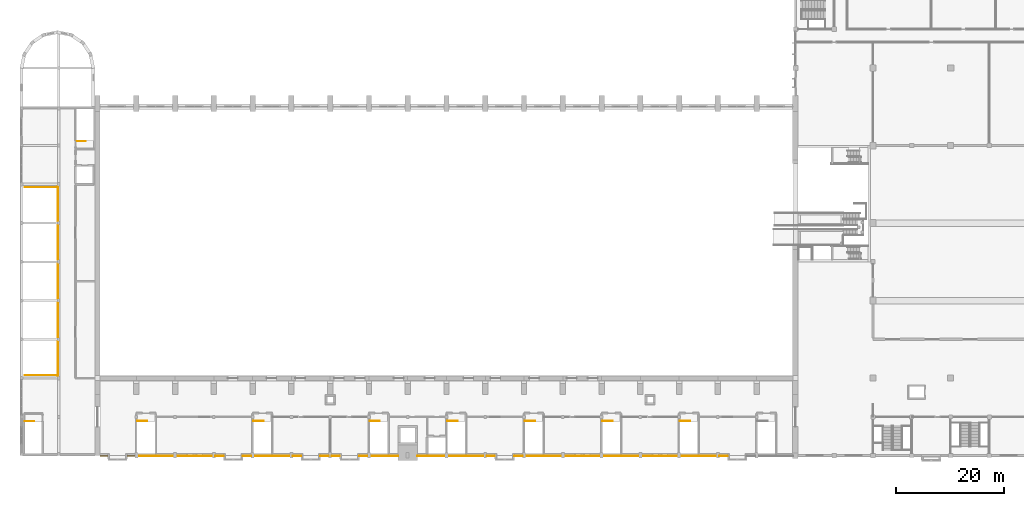
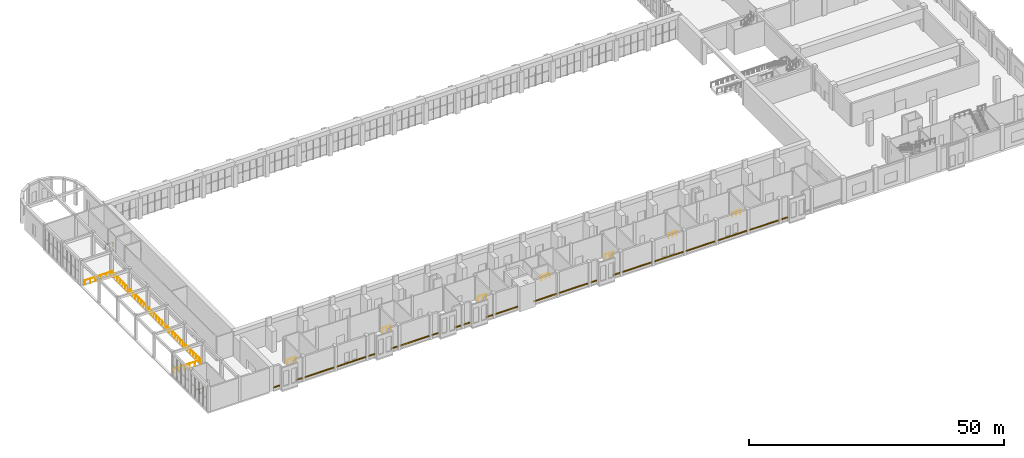
# One storey, part 40 of 44: 22 coverings, 16 railings.
"""IFC4 building model written with IfcOpenShell, lengths in metres."""

import ifcopenshell
import ifcopenshell.guid

model = None  # the IFC model being written
_history = None  # IfcOwnerHistory: only IFC2X3 demands one
_inside = {}  # id of a spatial element -> (the spatial element, [elements in it])
_under = {}  # id of a project, library or spatial element -> (it, [spatial elements below it])
_declared = {}  # id of a project -> (the project, [libraries it declares])
_typed = {}  # id of a type object -> (the type object, [elements of that type])
_made_of = {}  # id of a material, layer set ... -> (it, [elements and type objects made of it])


def new_model(schema):
    """Start an empty IFC model of exactly this schema.

    Asked for "IFC4X3", IfcOpenShell would pick the latest addendum, in which some entities
    have other attributes; the version numbers below select the first issue.
    IFC2X3 requires an IfcOwnerHistory on every rooted entity: one is made here for all.
    """
    global model, _history
    if schema == "IFC4X3":
        model = ifcopenshell.file(schema_version=(4, 3, 0, 0))
    else:
        model = ifcopenshell.file(schema=schema)
    _inside.clear()
    _under.clear()
    _declared.clear()
    _typed.clear()
    _made_of.clear()
    _history = None
    if model.schema == "IFC2X3":
        org = make("IfcOrganization", Name="unknown")
        user = make(
            "IfcPersonAndOrganization",
            ThePerson=make("IfcPerson", FamilyName="unknown"),
            TheOrganization=org,
        )
        app = make(
            "IfcApplication",
            ApplicationDeveloper=org,
            Version="unknown",
            ApplicationFullName="unknown",
            ApplicationIdentifier="unknown",
        )
        _history = make(
            "IfcOwnerHistory",
            OwningUser=user,
            OwningApplication=app,
            ChangeAction="ADDED",
            CreationDate=0,
        )
    return model


def make(cls, **values):
    """One entity of the class cls with the attributes given. An attribute that is None is left unset."""
    return model.create_entity(
        cls, **{name: value for name, value in values.items() if value is not None}
    )


def rooted(cls, **values):
    """An entity with a GlobalId (a new one), such as an element, a storey or a relation."""
    return make(cls, GlobalId=ifcopenshell.guid.new(), OwnerHistory=_history, **values)


def si_unit(unit_type, name, prefix=None):
    """IfcSIUnit, for example si_unit("LENGTHUNIT", "METRE", prefix="MILLI")."""
    return make("IfcSIUnit", UnitType=unit_type, Prefix=prefix, Name=name)


def assignment(units):
    """IfcUnitAssignment: the units of a project."""
    return None if units is None else make("IfcUnitAssignment", Units=units)


def point(xyz):
    """IfcCartesianPoint."""
    return None if xyz is None else make("IfcCartesianPoint", Coordinates=xyz)


def direction(xyz):
    """IfcDirection."""
    return None if xyz is None else make("IfcDirection", DirectionRatios=xyz)


def frame(location, z_axis=None, x_axis=None):
    """IfcAxis2Placement3D, a coordinate frame: its origin and axes. An axis left out is left unset."""
    return make(
        "IfcAxis2Placement3D",
        Location=point(location),
        Axis=direction(z_axis),
        RefDirection=direction(x_axis),
    )


def frame_2d(location, x_axis=None):
    """IfcAxis2Placement2D, a coordinate frame in the plane: its origin and x axis."""
    return make(
        "IfcAxis2Placement2D", Location=point(location), RefDirection=direction(x_axis)
    )


def origin():
    """The frame at (0, 0, 0) with its axes left unset."""
    return frame((0.0, 0.0, 0.0))


def origin_2d():
    """The frame at (0, 0) in the plane with its x axis left unset."""
    return frame_2d((0.0, 0.0))


def place(relative_to, where):
    """IfcLocalPlacement: puts the frame where relative to a parent placement (None: the world)."""
    return make(
        "IfcLocalPlacement", PlacementRelTo=relative_to, RelativePlacement=where
    )


def context(
    kind, dimensions, precision=None, world=None, true_north=None, identifier=None
):
    """IfcGeometricRepresentationContext, for example the 3D "Model" context."""
    return make(
        "IfcGeometricRepresentationContext",
        ContextIdentifier=identifier,
        ContextType=kind,
        CoordinateSpaceDimension=dimensions,
        Precision=precision,
        WorldCoordinateSystem=world,
        TrueNorth=true_north,
    )


def subcontext(parent, identifier, kind, view, scale=None):
    """IfcGeometricRepresentationSubContext, for example "Body" below "Model"."""
    return make(
        "IfcGeometricRepresentationSubContext",
        ContextIdentifier=identifier,
        ContextType=kind,
        ParentContext=parent,
        TargetScale=scale,
        TargetView=view,
    )


def project(units=None, contexts=None):
    """IfcProject with its units and contexts."""
    return rooted(
        "IfcProject",
        Name="project",
        RepresentationContexts=contexts,
        UnitsInContext=assignment(units),
    )


def spatial(cls, under=None, at=None, **own):
    """A site, building, storey or space (cls), placed at a placement, below another one or the project."""
    s = rooted(cls, ObjectPlacement=at, **own)
    if under is not None:
        _under.setdefault(under.id(), (under, []))[1].append(s)
    return s


def profile(cls, at=None, kind="AREA", **sizes):
    """A parametric profile (cls). Its sizes go by their IFC names, for example OverallWidth=200.0."""
    return make(cls, ProfileType=kind, Position=at, **sizes)


def rectangle(**sizes):
    """IfcRectangleProfileDef."""
    return profile("IfcRectangleProfileDef", **sizes)


def circle(**sizes):
    """IfcCircleProfileDef."""
    return profile("IfcCircleProfileDef", **sizes)


def extrude(swept, where, along, depth):
    """IfcExtrudedAreaSolid: the profile swept, set in the frame where, extruded along a direction by depth."""
    return make(
        "IfcExtrudedAreaSolid",
        SweptArea=swept,
        Position=where,
        ExtrudedDirection=direction(along),
        Depth=depth,
    )


def shape(context_of_items, identifier, shape_type, items):
    """IfcShapeRepresentation: the items that make up one representation, for example the "Body"."""
    return make(
        "IfcShapeRepresentation",
        ContextOfItems=context_of_items,
        RepresentationIdentifier=identifier,
        RepresentationType=shape_type,
        Items=items,
    )


def material(Name=None, Category=None):
    """IfcMaterial."""
    return make("IfcMaterial", Name=Name, Category=Category)


def layer(
    of_material, thickness, ventilated=None, Name=None, Category=None, Priority=None
):
    """IfcMaterialLayer: one layer of a wall or slab, of a material (None: an air gap)."""
    return make(
        "IfcMaterialLayer",
        Material=of_material,
        LayerThickness=thickness,
        IsVentilated=ventilated,
        Name=Name,
        Category=Category,
        Priority=Priority,
    )


def layer_set(layers, Name=None):
    """IfcMaterialLayerSet."""
    return make("IfcMaterialLayerSet", MaterialLayers=layers, LayerSetName=Name)


def made_of(thing, what):
    """Note that an element or type object is made of a material, layer set ...; save() writes the relation."""
    if what is not None:
        _made_of.setdefault(what.id(), (what, []))[1].append(thing)
    return thing


def type_object(cls, material=None, **own):
    """A type object (cls), such as IfcWallType, which elements share."""
    return made_of(rooted(cls, **own), material)


def element(
    cls,
    number,
    at=None,
    inside=None,
    cuts=None,
    type_object=None,
    material=None,
    context=None,
    identifier="Body",
    shape_type=None,
    held_by="IfcProductDefinitionShape",
    body=None,
    shapes=None,
    **own,
):
    """One element of the class cls, such as IfcWall. Its Tag is "e" and its number.

    at: its placement. inside: the storey or other place that contains it. cuts: it is an
    opening in that element (IfcRelVoidsElement). A single representation is given by context,
    identifier, shape_type and body (its items); several are given by shapes. held_by: the class
    of the entity that holds the representations. save() writes the other relations.
    """
    e = rooted(cls, Tag="e%d" % number, ObjectPlacement=at, **own)
    if body is not None:
        shapes = [shape(context, identifier, shape_type, body)]
    if shapes is not None:
        e.Representation = make(held_by, Representations=shapes)
    if inside is not None:
        _inside.setdefault(inside.id(), (inside, []))[1].append(e)
    if cuts is not None:
        rooted(
            "IfcRelVoidsElement", RelatingBuildingElement=cuts, RelatedOpeningElement=e
        )
    if type_object is not None:
        _typed.setdefault(type_object.id(), (type_object, []))[1].append(e)
    return made_of(e, material)


def aggregate(whole, parts):
    """IfcRelAggregates: a whole, such as a stair, and the parts it consists of."""
    return rooted("IfcRelAggregates", RelatingObject=whole, RelatedObjects=parts)


def save(model, path):
    """Write the relations noted so far, then the file.

    IfcRelAggregates (storeys below a building ...), IfcRelContainedInSpatialStructure (elements
    in a storey), IfcRelDefinesByType, IfcRelAssociatesMaterial and IfcRelDeclares: one each for
    every whole, place, type object, material and project.
    """
    for whole, parts in _under.values():
        aggregate(whole, parts)
    for where, things in _inside.values():
        rooted(
            "IfcRelContainedInSpatialStructure",
            RelatedElements=things,
            RelatingStructure=where,
        )
    for kind, things in _typed.values():
        rooted("IfcRelDefinesByType", RelatedObjects=things, RelatingType=kind)
    for what, things in _made_of.values():
        rooted("IfcRelAssociatesMaterial", RelatedObjects=things, RelatingMaterial=what)
    for by, libraries in _declared.values():
        rooted("IfcRelDeclares", RelatingContext=by, RelatedDefinitions=libraries)
    model.write(path)


model = new_model("IFC4")

# Units and contexts
model_context = context("Model", 3, precision=1e-05, world=origin(), true_north=direction((0.0, 1.0)))
body_context = subcontext(model_context, "Body", "Model", "MODEL_VIEW")
ifc_project = project(units=[si_unit("LENGTHUNIT", "METRE"), si_unit("AREAUNIT", "SQUARE_METRE"), si_unit("VOLUMEUNIT", "CUBIC_METRE"), si_unit("PLANEANGLEUNIT", "RADIAN"), si_unit("MASSUNIT", "GRAM", prefix="KILO")], contexts=[model_context])

# Site, building, storey
site_placement = place(None, origin())
site = spatial("IfcSite", under=ifc_project, at=site_placement, CompositionType="ELEMENT")
building_placement = place(site_placement, origin())
building = spatial("IfcBuilding", under=site, at=building_placement, Name="Vermilion Court Aquatics Centre", CompositionType="ELEMENT")
storey_placement = place(building_placement, frame((0.0, 0.0, 6.0)))
storey = spatial("IfcBuildingStorey", under=building, at=storey_placement, Name="L01", CompositionType="ELEMENT", Elevation=6.0)

# Railings
ifc_material_1 = material(Name="Steel ASTM A992 Grade 50", Category="steel")
railing_type_1 = type_object("IfcRailingType", Name="Foyer guard 1100", PredefinedType="GUARDRAIL", material=ifc_material_1)
railing_1_placement = place(storey_placement, frame((0.925048828125, 6.39990234375, 0.0)))
element("IfcRailing", 1, at=railing_1_placement, inside=storey, type_object=railing_type_1, Name="Stair opening guard F1", PredefinedType="GUARDRAIL", context=body_context, shape_type="SweptSolid", body=[
    extrude(circle(Radius=0.02392578125, at=origin_2d()), frame((0.0, 0.0, 1.076171875), z_axis=(1.0, 0.0, 0.0), x_axis=(0.0, 1.0, 0.0)), (0.0, 0.0, 1.0), 1.699951171875),
    extrude(circle(Radius=0.02099609375, at=origin_2d()), origin(), (0.0, 0.0, 1.0), 1.052001953125),
    extrude(circle(Radius=0.02099609375, at=origin_2d()), frame((0.85009765625, 0.0, 0.0)), (0.0, 0.0, 1.0), 1.052001953125),
    extrude(circle(Radius=0.02099609375, at=origin_2d()), frame((1.699951171875, 0.0, 0.0)), (0.0, 0.0, 1.0), 1.052001953125),
])
railing_2_placement = place(storey_placement, frame((10.47509765625, 58.39990234375, 0.0)))
element("IfcRailing", 2, at=railing_2_placement, inside=storey, type_object=railing_type_1, Name="Stair opening guard F2", PredefinedType="GUARDRAIL", context=body_context, shape_type="SweptSolid", body=[
    extrude(circle(Radius=0.02392578125, at=origin_2d()), frame((0.0, 0.0, 1.076171875), z_axis=(1.0, 0.0, 0.0), x_axis=(0.0, 1.0, 0.0)), (0.0, 0.0, 1.0), 1.724853515625),
    extrude(circle(Radius=0.02099609375, at=origin_2d()), origin(), (0.0, 0.0, 1.0), 1.052001953125),
    extrude(circle(Radius=0.02099609375, at=origin_2d()), frame((0.8623046875, 0.0, 0.0)), (0.0, 0.0, 1.0), 1.052001953125),
    extrude(circle(Radius=0.02099609375, at=origin_2d()), frame((1.724853515625, 0.0, 0.0)), (0.0, 0.0, 1.0), 1.052001953125),
])
for number, where, name in (
    (3, (0.89990234375, 14.949951171875, 0.0), "Foyer void guard S"),
    (4, (0.89990234375, 49.85009765625, 0.0), "Foyer void guard N"),
):
    element("IfcRailing", number, at=place(storey_placement, frame(where)), inside=storey, type_object=railing_type_1, Name=name, PredefinedType="GUARDRAIL", context=body_context, shape_type="SweptSolid", body=[
        extrude(circle(Radius=0.02392578125, at=origin_2d()), frame((0.0, 0.0, 1.076171875), z_axis=(1.0, 0.0, 0.0), x_axis=(0.0, 1.0, 0.0)), (0.0, 0.0, 1.0), 6.0),
        extrude(circle(Radius=0.02099609375, at=origin_2d()), origin(), (0.0, 0.0, 1.0), 1.052001953125),
        extrude(circle(Radius=0.02099609375, at=origin_2d()), frame((1.199951171875, 0.0, 0.0)), (0.0, 0.0, 1.0), 1.052001953125),
        extrude(circle(Radius=0.02099609375, at=origin_2d()), frame((2.39990234375, 0.0, 0.0)), (0.0, 0.0, 1.0), 1.052001953125),
        extrude(circle(Radius=0.02099609375, at=origin_2d()), frame((3.60009765625, 0.0, 0.0)), (0.0, 0.0, 1.0), 1.052001953125),
        extrude(circle(Radius=0.02099609375, at=origin_2d()), frame((4.800048828125, 0.0, 0.0)), (0.0, 0.0, 1.0), 1.052001953125),
        extrude(circle(Radius=0.02099609375, at=origin_2d()), frame((6.0, 0.0, 0.0)), (0.0, 0.0, 1.0), 1.052001953125),
    ])
for number, where, name in (
    (5, (7.050048828125, 14.800048828125, 0.0), "Foyer void guard E3"),
    (6, (7.050048828125, 22.0, 0.0), "Foyer void guard E4"),
):
    element("IfcRailing", number, at=place(storey_placement, frame(where)), inside=storey, type_object=railing_type_1, Name=name, PredefinedType="GUARDRAIL", context=body_context, shape_type="SweptSolid", body=[
        extrude(circle(Radius=0.02392578125, at=origin_2d()), frame((0.0, 0.0, 1.076171875), z_axis=(0.0, 1.0, 0.0), x_axis=(-1.0, 0.0, 0.0)), (0.0, 0.0, 1.0), 6.39990234375),
        extrude(circle(Radius=0.02099609375, at=origin_2d()), origin(), (0.0, 0.0, 1.0), 1.052001953125),
        extrude(circle(Radius=0.02099609375, at=origin_2d()), frame((0.0, 1.066650390625, 0.0)), (0.0, 0.0, 1.0), 1.052001953125),
        extrude(circle(Radius=0.02099609375, at=origin_2d()), frame((0.0, 2.13330078125, 0.0)), (0.0, 0.0, 1.0), 1.052001953125),
        extrude(circle(Radius=0.02099609375, at=origin_2d()), frame((0.0, 3.199951171875, 0.0)), (0.0, 0.0, 1.0), 1.052001953125),
        extrude(circle(Radius=0.02099609375, at=origin_2d()), frame((0.0, 4.2666015625, 0.0)), (0.0, 0.0, 1.0), 1.052001953125),
        extrude(circle(Radius=0.02099609375, at=origin_2d()), frame((0.0, 5.333251953125, 0.0)), (0.0, 0.0, 1.0), 1.052001953125),
        extrude(circle(Radius=0.02099609375, at=origin_2d()), frame((0.0, 6.39990234375, 0.0)), (0.0, 0.0, 1.0), 1.052001953125),
    ])
for number, where, name in (
    (7, (7.050048828125, 29.199951171875, 0.0), "Foyer void guard E5"),
    (8, (7.050048828125, 36.39990234375, 0.0), "Foyer void guard E6"),
):
    element("IfcRailing", number, at=place(storey_placement, frame(where)), inside=storey, type_object=railing_type_1, Name=name, PredefinedType="GUARDRAIL", context=body_context, shape_type="SweptSolid", body=[
        extrude(circle(Radius=0.02392578125, at=origin_2d()), frame((0.0, 0.0, 1.076171875), z_axis=(0.0, 1.0, 0.0), x_axis=(-1.0, 0.0, 0.0)), (0.0, 0.0, 1.0), 6.400146484375),
        extrude(circle(Radius=0.02099609375, at=origin_2d()), origin(), (0.0, 0.0, 1.0), 1.052001953125),
        extrude(circle(Radius=0.02099609375, at=origin_2d()), frame((0.0, 1.066650390625, 0.0)), (0.0, 0.0, 1.0), 1.052001953125),
        extrude(circle(Radius=0.02099609375, at=origin_2d()), frame((0.0, 2.13330078125, 0.0)), (0.0, 0.0, 1.0), 1.052001953125),
        extrude(circle(Radius=0.02099609375, at=origin_2d()), frame((0.0, 3.2001953125, 0.0)), (0.0, 0.0, 1.0), 1.052001953125),
        extrude(circle(Radius=0.02099609375, at=origin_2d()), frame((0.0, 4.266845703125, 0.0)), (0.0, 0.0, 1.0), 1.052001953125),
        extrude(circle(Radius=0.02099609375, at=origin_2d()), frame((0.0, 5.33349609375, 0.0)), (0.0, 0.0, 1.0), 1.052001953125),
        extrude(circle(Radius=0.02099609375, at=origin_2d()), frame((0.0, 6.400146484375, 0.0)), (0.0, 0.0, 1.0), 1.052001953125),
    ])
railing_3_placement = place(storey_placement, frame((7.050048828125, 43.60009765625, 0.0)))
element("IfcRailing", 9, at=railing_3_placement, inside=storey, type_object=railing_type_1, Name="Foyer void guard E7", PredefinedType="GUARDRAIL", context=body_context, shape_type="SweptSolid", body=[
    extrude(circle(Radius=0.02392578125, at=origin_2d()), frame((0.0, 0.0, 1.076171875), z_axis=(0.0, 1.0, 0.0), x_axis=(-1.0, 0.0, 0.0)), (0.0, 0.0, 1.0), 6.39990234375),
    extrude(circle(Radius=0.02099609375, at=origin_2d()), origin(), (0.0, 0.0, 1.0), 1.052001953125),
    extrude(circle(Radius=0.02099609375, at=origin_2d()), frame((0.0, 1.066650390625, 0.0)), (0.0, 0.0, 1.0), 1.052001953125),
    extrude(circle(Radius=0.02099609375, at=origin_2d()), frame((0.0, 2.13330078125, 0.0)), (0.0, 0.0, 1.0), 1.052001953125),
    extrude(circle(Radius=0.02099609375, at=origin_2d()), frame((0.0, 3.199951171875, 0.0)), (0.0, 0.0, 1.0), 1.052001953125),
    extrude(circle(Radius=0.02099609375, at=origin_2d()), frame((0.0, 4.2666015625, 0.0)), (0.0, 0.0, 1.0), 1.052001953125),
    extrude(circle(Radius=0.02099609375, at=origin_2d()), frame((0.0, 5.333251953125, 0.0)), (0.0, 0.0, 1.0), 1.052001953125),
    extrude(circle(Radius=0.02099609375, at=origin_2d()), frame((0.0, 6.39990234375, 0.0)), (0.0, 0.0, 1.0), 1.052001953125),
])

# Coverings
ifc_material_2 = material(Name="Brick masonry", Category="masonry")
ifc_layer = layer(ifc_material_2, 0.1201171875)
ifc_layer_set = layer_set([ifc_layer], Name="South brick band course 120")
covering_type = type_object("IfcCoveringType", Name="South brick band course 120", PredefinedType="CLADDING", material=ifc_layer_set)
covering_1_placement = place(storey_placement, frame((15.6064453125, -0.06005859375, 0.60009765625), z_axis=(0.0, 0.0, 1.0), x_axis=(1.0, 0.0, 0.0)))
element("IfcCovering", 10, at=covering_1_placement, inside=storey, type_object=covering_type, Name="South brick band course", PredefinedType="CLADDING", context=body_context, shape_type="SweptSolid", body=[
    extrude(rectangle(XDim=1.4130859375, YDim=0.1201171875, at=origin_2d()), origin(), (0.0, 0.0, 1.0), 0.300048828125),
])
covering_2_placement = place(storey_placement, frame((20.618896484375, -0.06005859375, 0.60009765625), z_axis=(0.0, 0.0, 1.0), x_axis=(1.0, 0.0, 0.0)))
element("IfcCovering", 11, at=covering_2_placement, inside=storey, type_object=covering_type, Name="South brick band course", PredefinedType="CLADDING", context=body_context, shape_type="SweptSolid", body=[
    extrude(rectangle(XDim=1.412109375, YDim=0.1201171875, at=origin_2d()), origin(), (0.0, 0.0, 1.0), 0.300048828125),
])
for number, where, z_axis, x_axis, name in (
    (12, (25.199951171875, -0.06005859375, 0.60009765625), (0.0, 0.0, 1.0), (1.0, 0.0, 0.0), "South brick band course"),
    (13, (32.39990234375, -0.06005859375, 0.60009765625), (0.0, 0.0, 1.0), (1.0, 0.0, 0.0), "South brick band course"),
):
    element("IfcCovering", number, at=place(storey_placement, frame(where, z_axis=z_axis, x_axis=x_axis)), inside=storey, type_object=covering_type, Name=name, PredefinedType="CLADDING", context=body_context, shape_type="SweptSolid", body=[
        extrude(rectangle(XDim=6.64990234375, YDim=0.1201171875, at=origin_2d()), origin(), (0.0, 0.0, 1.0), 0.300048828125),
    ])
for number, where, z_axis, x_axis, name in (
    (14, (37.03759765625, -0.06005859375, 0.60009765625), (0.0, 0.0, 1.0), (1.0, 0.0, 0.0), "South brick band course"),
    (15, (42.16259765625, -0.06005859375, 0.60009765625), (0.0, 0.0, 1.0), (1.0, 0.0, 0.0), "South brick band course"),
):
    element("IfcCovering", number, at=place(storey_placement, frame(where, z_axis=z_axis, x_axis=x_axis)), inside=storey, type_object=covering_type, Name=name, PredefinedType="CLADDING", context=body_context, shape_type="SweptSolid", body=[
        extrude(rectangle(XDim=1.52490234375, YDim=0.1201171875, at=origin_2d()), origin(), (0.0, 0.0, 1.0), 0.300048828125),
    ])
covering_3_placement = place(storey_placement, frame((46.800048828125, -0.06005859375, 0.60009765625), z_axis=(0.0, 0.0, 1.0), x_axis=(1.0, 0.0, 0.0)))
element("IfcCovering", 16, at=covering_3_placement, inside=storey, type_object=covering_type, Name="South brick band course", PredefinedType="CLADDING", context=body_context, shape_type="SweptSolid", body=[
    extrude(rectangle(XDim=6.64990234375, YDim=0.1201171875, at=origin_2d()), origin(), (0.0, 0.0, 1.0), 0.300048828125),
])
for number, where, z_axis, x_axis, name in (
    (17, (51.4375, -0.06005859375, 0.60009765625), (0.0, 0.0, 1.0), (1.0, 0.0, 0.0), "South brick band course"),
    (18, (56.5625, -0.06005859375, 0.60009765625), (0.0, 0.0, 1.0), (1.0, 0.0, 0.0), "South brick band course"),
    (19, (58.637451171875, -0.06005859375, 0.60009765625), (0.0, 0.0, 1.0), (1.0, 0.0, 0.0), "South brick band course"),
    (20, (63.762451171875, -0.06005859375, 0.60009765625), (0.0, 0.0, 1.0), (1.0, 0.0, 0.0), "South brick band course"),
):
    element("IfcCovering", number, at=place(storey_placement, frame(where, z_axis=z_axis, x_axis=x_axis)), inside=storey, type_object=covering_type, Name=name, PredefinedType="CLADDING", context=body_context, shape_type="SweptSolid", body=[
        extrude(rectangle(XDim=1.52490234375, YDim=0.1201171875, at=origin_2d()), origin(), (0.0, 0.0, 1.0), 0.300048828125),
    ])
covering_4_placement = place(storey_placement, frame((67.637451171875, -0.06005859375, 0.60009765625), z_axis=(0.0, 0.0, 1.0), x_axis=(1.0, 0.0, 0.0)))
element("IfcCovering", 21, at=covering_4_placement, inside=storey, type_object=covering_type, Name="South brick band course", PredefinedType="CLADDING", context=body_context, shape_type="SweptSolid", body=[
    extrude(rectangle(XDim=5.125, YDim=0.1201171875, at=origin_2d()), origin(), (0.0, 0.0, 1.0), 0.300048828125),
])
covering_5_placement = place(storey_placement, frame((76.375, -0.06005859375, 0.60009765625), z_axis=(0.0, 0.0, 1.0), x_axis=(1.0, 0.0, 0.0)))
element("IfcCovering", 22, at=covering_5_placement, inside=storey, type_object=covering_type, Name="South brick band course", PredefinedType="CLADDING", context=body_context, shape_type="SweptSolid", body=[
    extrude(rectangle(XDim=5.14990234375, YDim=0.1201171875, at=origin_2d()), origin(), (0.0, 0.0, 1.0), 0.300048828125),
])
covering_6_placement = place(storey_placement, frame((82.78759765625, -0.06005859375, 0.60009765625), z_axis=(0.0, 0.0, 1.0), x_axis=(1.0, 0.0, 0.0)))
element("IfcCovering", 23, at=covering_6_placement, inside=storey, type_object=covering_type, Name="South brick band course", PredefinedType="CLADDING", context=body_context, shape_type="SweptSolid", body=[
    extrude(rectangle(XDim=6.675048828125, YDim=0.1201171875, at=origin_2d()), origin(), (0.0, 0.0, 1.0), 0.300048828125),
])
for number, where, z_axis, x_axis, name in (
    (24, (87.4375, -0.06005859375, 0.60009765625), (0.0, 0.0, 1.0), (1.0, 0.0, 0.0), "South brick band course"),
    (25, (92.5625, -0.06005859375, 0.60009765625), (0.0, 0.0, 1.0), (1.0, 0.0, 0.0), "South brick band course"),
):
    element("IfcCovering", number, at=place(storey_placement, frame(where, z_axis=z_axis, x_axis=x_axis)), inside=storey, type_object=covering_type, Name=name, PredefinedType="CLADDING", context=body_context, shape_type="SweptSolid", body=[
        extrude(rectangle(XDim=1.52490234375, YDim=0.1201171875, at=origin_2d()), origin(), (0.0, 0.0, 1.0), 0.300048828125),
    ])
for number, where, z_axis, x_axis, name in (
    (26, (97.199951171875, -0.06005859375, 0.60009765625), (0.0, 0.0, 1.0), (1.0, 0.0, 0.0), "South brick band course"),
    (27, (104.39990234375, -0.06005859375, 0.60009765625), (0.0, 0.0, 1.0), (1.0, 0.0, 0.0), "South brick band course"),
    (28, (111.60009765625, -0.06005859375, 0.60009765625), (0.0, 0.0, 1.0), (1.0, 0.0, 0.0), "South brick band course"),
    (29, (118.800048828125, -0.06005859375, 0.60009765625), (0.0, 0.0, 1.0), (1.0, 0.0, 0.0), "South brick band course"),
    (30, (126.0, -0.06005859375, 0.60009765625), (0.0, 0.0, 1.0), (1.0, 0.0, 0.0), "South brick band course"),
):
    element("IfcCovering", number, at=place(storey_placement, frame(where, z_axis=z_axis, x_axis=x_axis)), inside=storey, type_object=covering_type, Name=name, PredefinedType="CLADDING", context=body_context, shape_type="SweptSolid", body=[
        extrude(rectangle(XDim=6.64990234375, YDim=0.1201171875, at=origin_2d()), origin(), (0.0, 0.0, 1.0), 0.300048828125),
    ])
covering_7_placement = place(storey_placement, frame((130.637451171875, -0.06005859375, 0.60009765625), z_axis=(0.0, 0.0, 1.0), x_axis=(1.0, 0.0, 0.0)))
element("IfcCovering", 31, at=covering_7_placement, inside=storey, type_object=covering_type, Name="South brick band course", PredefinedType="CLADDING", context=body_context, shape_type="SweptSolid", body=[
    extrude(rectangle(XDim=1.52490234375, YDim=0.1201171875, at=origin_2d()), origin(), (0.0, 0.0, 1.0), 0.300048828125),
])

# Railings
ifc_material_3 = material(Name="Steel ASTM A992 Grade 50", Category="steel")
railing_type_2 = type_object("IfcRailingType", Name="South stair guard 1100", PredefinedType="GUARDRAIL", material=ifc_material_3)
for number, where, name in (
    (32, (21.77490234375, 6.449951171875, 0.0), "Stair opening guard S1"),
    (33, (43.375, 6.449951171875, 0.0), "Stair opening guard S2"),
):
    element("IfcRailing", number, at=place(storey_placement, frame(where)), inside=storey, type_object=railing_type_2, Name=name, PredefinedType="GUARDRAIL", context=body_context, shape_type="SweptSolid", body=[
        extrude(circle(Radius=0.02392578125, at=origin_2d()), frame((0.0, 0.0, 1.076171875), z_axis=(1.0, 0.0, 0.0), x_axis=(0.0, 1.0, 0.0)), (0.0, 0.0, 1.0), 1.85009765625),
        extrude(circle(Radius=0.02099609375, at=origin_2d()), origin(), (0.0, 0.0, 1.0), 1.052001953125),
        extrude(circle(Radius=0.02099609375, at=origin_2d()), frame((0.925048828125, 0.0, 0.0)), (0.0, 0.0, 1.0), 1.052001953125),
        extrude(circle(Radius=0.02099609375, at=origin_2d()), frame((1.85009765625, 0.0, 0.0)), (0.0, 0.0, 1.0), 1.052001953125),
    ])
railing_4_placement = place(storey_placement, frame((64.97509765625, 6.449951171875, 0.0)))
element("IfcRailing", 34, at=railing_4_placement, inside=storey, type_object=railing_type_2, Name="Stair opening guard S3", PredefinedType="GUARDRAIL", context=body_context, shape_type="SweptSolid", body=[
    extrude(circle(Radius=0.02392578125, at=origin_2d()), frame((0.0, 0.0, 1.076171875), z_axis=(1.0, 0.0, 0.0), x_axis=(0.0, 1.0, 0.0)), (0.0, 0.0, 1.0), 1.849853515625),
    extrude(circle(Radius=0.02099609375, at=origin_2d()), origin(), (0.0, 0.0, 1.0), 1.052001953125),
    extrude(circle(Radius=0.02099609375, at=origin_2d()), frame((0.9248046875, 0.0, 0.0)), (0.0, 0.0, 1.0), 1.052001953125),
    extrude(circle(Radius=0.02099609375, at=origin_2d()), frame((1.849853515625, 0.0, 0.0)), (0.0, 0.0, 1.0), 1.052001953125),
])
for number, where, name in (
    (35, (79.375, 6.449951171875, 0.0), "Stair opening guard S4"),
    (36, (93.77490234375, 6.449951171875, 0.0), "Stair opening guard S5"),
):
    element("IfcRailing", number, at=place(storey_placement, frame(where)), inside=storey, type_object=railing_type_2, Name=name, PredefinedType="GUARDRAIL", context=body_context, shape_type="SweptSolid", body=[
        extrude(circle(Radius=0.02392578125, at=origin_2d()), frame((0.0, 0.0, 1.076171875), z_axis=(1.0, 0.0, 0.0), x_axis=(0.0, 1.0, 0.0)), (0.0, 0.0, 1.0), 1.85009765625),
        extrude(circle(Radius=0.02099609375, at=origin_2d()), origin(), (0.0, 0.0, 1.0), 1.052001953125),
        extrude(circle(Radius=0.02099609375, at=origin_2d()), frame((0.925048828125, 0.0, 0.0)), (0.0, 0.0, 1.0), 1.052001953125),
        extrude(circle(Radius=0.02099609375, at=origin_2d()), frame((1.85009765625, 0.0, 0.0)), (0.0, 0.0, 1.0), 1.052001953125),
    ])
railing_5_placement = place(storey_placement, frame((108.175048828125, 6.449951171875, 0.0)))
element("IfcRailing", 37, at=railing_5_placement, inside=storey, type_object=railing_type_2, Name="Stair opening guard S6", PredefinedType="GUARDRAIL", context=body_context, shape_type="SweptSolid", body=[
    extrude(circle(Radius=0.02392578125, at=origin_2d()), frame((0.0, 0.0, 1.076171875), z_axis=(1.0, 0.0, 0.0), x_axis=(0.0, 1.0, 0.0)), (0.0, 0.0, 1.0), 1.849853515625),
    extrude(circle(Radius=0.02099609375, at=origin_2d()), origin(), (0.0, 0.0, 1.0), 1.052001953125),
    extrude(circle(Radius=0.02099609375, at=origin_2d()), frame((0.9248046875, 0.0, 0.0)), (0.0, 0.0, 1.0), 1.052001953125),
    extrude(circle(Radius=0.02099609375, at=origin_2d()), frame((1.849853515625, 0.0, 0.0)), (0.0, 0.0, 1.0), 1.052001953125),
])
railing_6_placement = place(storey_placement, frame((122.574951171875, 6.449951171875, 0.0)))
element("IfcRailing", 38, at=railing_6_placement, inside=storey, type_object=railing_type_2, Name="Stair opening guard S7", PredefinedType="GUARDRAIL", context=body_context, shape_type="SweptSolid", body=[
    extrude(circle(Radius=0.02392578125, at=origin_2d()), frame((0.0, 0.0, 1.076171875), z_axis=(1.0, 0.0, 0.0), x_axis=(0.0, 1.0, 0.0)), (0.0, 0.0, 1.0), 1.85009765625),
    extrude(circle(Radius=0.02099609375, at=origin_2d()), origin(), (0.0, 0.0, 1.0), 1.052001953125),
    extrude(circle(Radius=0.02099609375, at=origin_2d()), frame((0.925048828125, 0.0, 0.0)), (0.0, 0.0, 1.0), 1.052001953125),
    extrude(circle(Radius=0.02099609375, at=origin_2d()), frame((1.85009765625, 0.0, 0.0)), (0.0, 0.0, 1.0), 1.052001953125),
])

save(model, "model.ifc")
